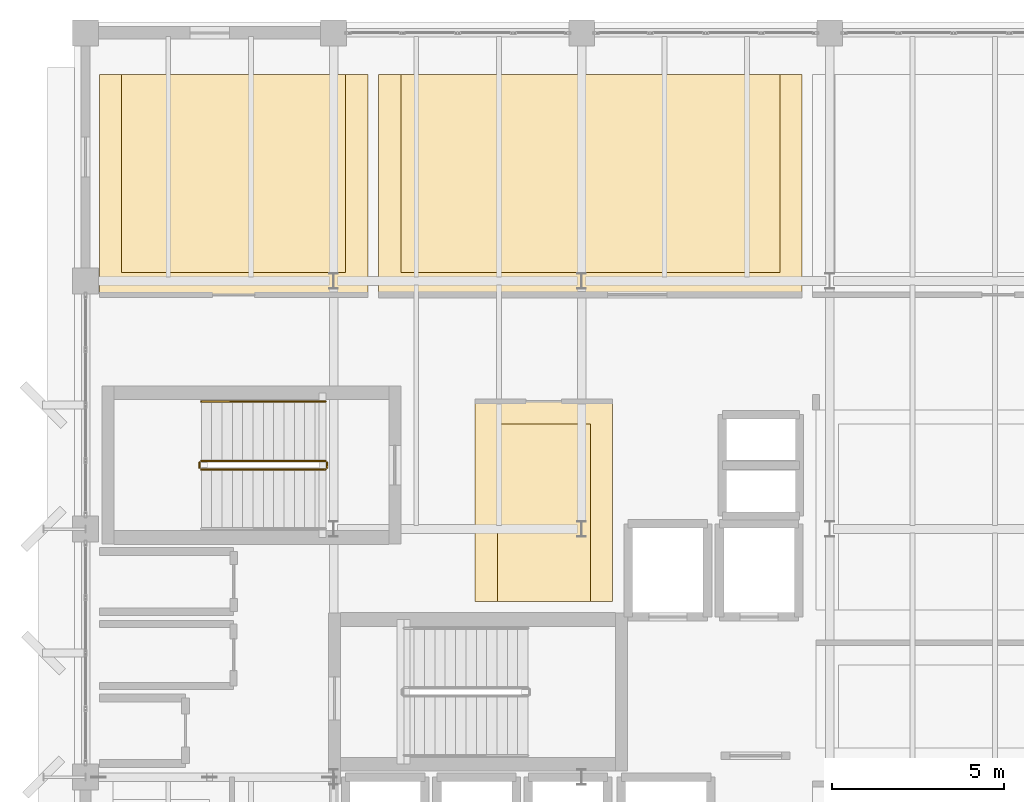
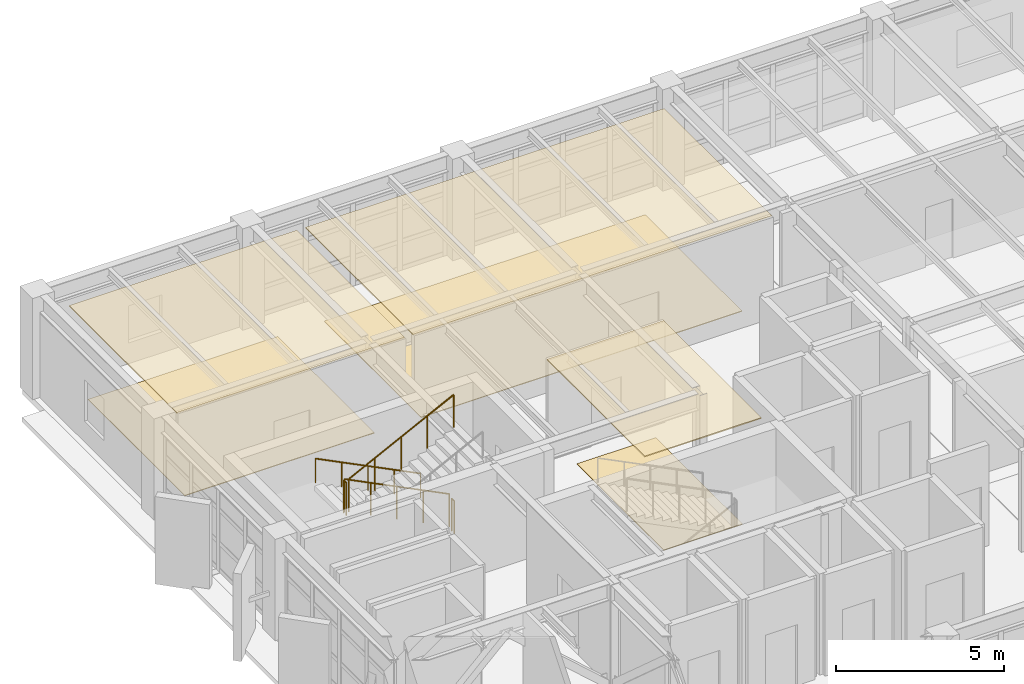
# One storey, part 23 of 24: 6 coverings, 5 railings.
"""IFC4 building model written with IfcOpenShell, lengths in metres."""

from ifc_helpers import new_model, si_unit, direction, frame, origin, origin_2d, place, context, subcontext, project, spatial, polyline, circle, outline, extrude, material, layer, layer_set, type_object, element, save


model = new_model("IFC4")

# Units and contexts
model_context = context("Model", 3, precision=1e-05, world=origin(), true_north=direction((0.0, 1.0)))
body_context = subcontext(model_context, "Body", "Model", "MODEL_VIEW")
ifc_project = project(units=[si_unit("LENGTHUNIT", "METRE"), si_unit("AREAUNIT", "SQUARE_METRE"), si_unit("VOLUMEUNIT", "CUBIC_METRE"), si_unit("PLANEANGLEUNIT", "RADIAN"), si_unit("MASSUNIT", "GRAM", prefix="KILO")], contexts=[model_context])

# Site, building, storey
site_placement = place(None, origin())
site = spatial("IfcSite", under=ifc_project, at=site_placement, CompositionType="ELEMENT")
building_placement = place(site_placement, origin())
building = spatial("IfcBuilding", under=site, at=building_placement, Name="Kandorven Conservatory and Botanical Research Centre", CompositionType="ELEMENT")
storey_placement = place(building_placement, frame((0.0, 0.0, 21.0)))
storey = spatial("IfcBuildingStorey", under=building, at=storey_placement, Name="L05", CompositionType="ELEMENT", Elevation=21.0)

# Coverings
ifc_material_1 = material(Name="Perforated mineral-fibre acoustic ceiling tile", Category="gypsum")
ifc_layer_1 = layer(ifc_material_1, 0.0400390625)
ifc_layer_set_1 = layer_set([ifc_layer_1], Name="Perforated mineral-fibre acoustic ceiling tile")
covering_type_1 = type_object("IfcCoveringType", Name="Cov_Ceiling_1", PredefinedType="CEILING", material=ifc_layer_set_1)
covering_1_placement = place(storey_placement, frame((0.0, 0.0, 3.610107421875)))
element("IfcCovering", 1, at=covering_1_placement, inside=storey, type_object=covering_type_1, Name="Suspended acoustic ceiling CLG-01 (Botanical Specimen Preparation Laboratory L05)", PredefinedType="CEILING", context=body_context, shape_type="SweptSolid", body=[
    extrude(outline(polyline([(17.300048828125, 18.300048828125), (21.300048828125, 18.300048828125), (21.300048828125, 24.10009765625), (17.300048828125, 24.10009765625), (17.300048828125, 18.300048828125)])), origin(), (0.0, 0.0, 1.0), 0.039794921875),
])
covering_2_placement = place(storey_placement, frame((0.0, 0.0, 3.610107421875)))
element("IfcCovering", 2, at=covering_2_placement, inside=storey, type_object=covering_type_1, Name="Suspended acoustic ceiling CLG-01 (Ethnobotany Field Specimen Studio L05)", PredefinedType="CEILING", context=body_context, shape_type="SweptSolid", body=[
    extrude(outline(polyline([(6.39990234375, 27.199951171875), (14.199951171875, 27.199951171875), (14.199951171875, 33.60009765625), (6.39990234375, 33.60009765625), (6.39990234375, 27.199951171875)])), origin(), (0.0, 0.0, 1.0), 0.039794921875),
])
covering_3_placement = place(storey_placement, frame((0.0, 0.0, 3.610107421875)))
element("IfcCovering", 3, at=covering_3_placement, inside=storey, type_object=covering_type_1, Name="Suspended acoustic ceiling CLG-01 (Genomics and Bioinformatics Laboratory L05)", PredefinedType="CEILING", context=body_context, shape_type="SweptSolid", body=[
    extrude(outline(polyline([(14.5, 27.199951171875), (26.800048828125, 27.199951171875), (26.800048828125, 33.60009765625), (14.5, 33.60009765625), (14.5, 27.199951171875)])), origin(), (0.0, 0.0, 1.0), 0.039794921875),
])
ifc_material_2 = material(Name="Honed Kota stone and epoxy laboratory flooring", Category="masonry")
ifc_layer_2 = layer(ifc_material_2, 0.02490234375)
ifc_layer_set_2 = layer_set([ifc_layer_2], Name="Honed Kota stone and epoxy laboratory flooring")
covering_type_2 = type_object("IfcCoveringType", Name="Cov_Flooring_1", PredefinedType="FLOORING", material=ifc_layer_set_2)
covering_4_placement = place(storey_placement, origin())
element("IfcCovering", 4, at=covering_4_placement, inside=storey, type_object=covering_type_2, Name="Floor finish FLR-01 (Botanical Specimen Preparation Laboratory L05)", PredefinedType="FLOORING", context=body_context, shape_type="SweptSolid", body=[
    extrude(outline(polyline([(17.949951171875, 18.300048828125), (20.64990234375, 18.300048828125), (20.64990234375, 23.449951171875), (17.949951171875, 23.449951171875), (17.949951171875, 18.300048828125)])), origin(), (0.0, 0.0, 1.0), 0.02490234375),
])
covering_5_placement = place(storey_placement, origin())
element("IfcCovering", 5, at=covering_5_placement, inside=storey, type_object=covering_type_2, Name="Floor finish FLR-01 (Ethnobotany Field Specimen Studio L05)", PredefinedType="FLOORING", context=body_context, shape_type="SweptSolid", body=[
    extrude(outline(polyline([(7.050048828125, 27.85009765625), (13.550048828125, 27.85009765625), (13.550048828125, 33.60009765625), (7.050048828125, 33.60009765625), (7.050048828125, 27.85009765625)])), origin(), (0.0, 0.0, 1.0), 0.02490234375),
])
covering_6_placement = place(storey_placement, origin())
element("IfcCovering", 6, at=covering_6_placement, inside=storey, type_object=covering_type_2, Name="Floor finish FLR-01 (Genomics and Bioinformatics Laboratory L05)", PredefinedType="FLOORING", context=body_context, shape_type="SweptSolid", body=[
    extrude(outline(polyline([(15.14990234375, 27.85009765625), (26.14990234375, 27.85009765625), (26.14990234375, 33.60009765625), (15.14990234375, 33.60009765625), (15.14990234375, 27.85009765625)])), origin(), (0.0, 0.0, 1.0), 0.02490234375),
])

# Railings
ifc_material_3 = material(Name="Steel S355 (IS 2062 E350)", Category="steel")
railing_type_1 = type_object("IfcRailingType", Name="StairGuard_1150", PredefinedType="BALUSTRADE", material=ifc_material_3)
railing_1_placement = place(storey_placement, frame((12.9599609375, 22.3798828125, 0.14990234375)))
element("IfcRailing", 7, at=railing_1_placement, inside=storey, type_object=railing_type_1, Name="L05 ST-T2 stair guard 1", PredefinedType="BALUSTRADE", context=body_context, shape_type="SweptSolid", body=[
    extrude(circle(Radius=0.02392578125, at=origin_2d()), frame((0.0, 0.0, 1.17578125), z_axis=(-0.894415058897, 0.0, 0.447237858884), x_axis=(0.0, -1.0, 0.0)), (0.0, 0.0, 1.0), 4.02490234375),
    extrude(circle(Radius=0.02099609375, at=origin_2d()), origin(), (0.0, 0.0, 1.0), 1.15185546875),
    extrude(circle(Radius=0.02099609375, at=origin_2d()), frame((-0.89990234375, 0.0, 0.449951171875)), (0.0, 0.0, 1.0), 1.15185546875),
    extrude(circle(Radius=0.02099609375, at=origin_2d()), frame((-1.7998046875, 0.0, 0.89990234375)), (0.0, 0.0, 1.0), 1.15185546875),
    extrude(circle(Radius=0.02099609375, at=origin_2d()), frame((-2.699951171875, 0.0, 1.35009765625)), (0.0, 0.0, 1.0), 1.15185546875),
    extrude(circle(Radius=0.02099609375, at=origin_2d()), frame((-3.599853515625, 0.0, 1.800048828125)), (0.0, 0.0, 1.0), 1.15185546875),
])
railing_2_placement = place(storey_placement, frame((9.31005859375, 22.330078125, 1.949951171875)))
element("IfcRailing", 8, at=railing_2_placement, inside=storey, type_object=railing_type_1, Name="L05 ST-T2 stair guard 2", PredefinedType="BALUSTRADE", context=body_context, shape_type="SweptSolid", body=[
    extrude(circle(Radius=0.02392578125, at=origin_2d()), frame((0.0, 0.0, 1.17578125), z_axis=(0.0, -1.0, 0.0), x_axis=(1.0, 0.0, 0.0)), (0.0, 0.0, 1.0), 0.150146484375),
    extrude(circle(Radius=0.02099609375, at=origin_2d()), origin(), (0.0, 0.0, 1.0), 1.15185546875),
    extrude(circle(Radius=0.02099609375, at=origin_2d()), frame((0.0, -0.150146484375, 0.0)), (0.0, 0.0, 1.0), 1.15185546875),
])
railing_3_placement = place(storey_placement, frame((9.360107421875, 22.1298828125, 2.10009765625)))
element("IfcRailing", 9, at=railing_3_placement, inside=storey, type_object=railing_type_1, Name="L05 ST-T2 stair guard 3", PredefinedType="BALUSTRADE", context=body_context, shape_type="SweptSolid", body=[
    extrude(circle(Radius=0.02392578125, at=origin_2d()), frame((0.0, 0.0, 1.17578125), z_axis=(0.894439322774, 0.0, 0.447189331129), x_axis=(0.0, 1.0, 0.0)), (0.0, 0.0, 1.0), 4.024658203125),
    extrude(circle(Radius=0.02099609375, at=origin_2d()), origin(), (0.0, 0.0, 1.0), 1.15185546875),
    extrude(circle(Radius=0.02099609375, at=origin_2d()), frame((0.89990234375, 0.0, 0.449951171875)), (0.0, 0.0, 1.0), 1.15185546875),
    extrude(circle(Radius=0.02099609375, at=origin_2d()), frame((1.7998046875, 0.0, 0.89990234375)), (0.0, 0.0, 1.0), 1.15185546875),
    extrude(circle(Radius=0.02099609375, at=origin_2d()), frame((2.699951171875, 0.0, 1.349853515625)), (0.0, 0.0, 1.0), 1.15185546875),
    extrude(circle(Radius=0.02099609375, at=origin_2d()), frame((3.599853515625, 0.0, 1.7998046875)), (0.0, 0.0, 1.0), 1.15185546875),
])
railing_4_placement = place(storey_placement, frame((13.010009765625, 22.330078125, 0.0)))
element("IfcRailing", 10, at=railing_4_placement, inside=storey, type_object=railing_type_1, Name="L05 ST-T2 stair guard 4", PredefinedType="BALUSTRADE", context=body_context, shape_type="SweptSolid", body=[
    extrude(circle(Radius=0.02392578125, at=origin_2d()), frame((0.0, 0.0, 1.17578125), z_axis=(0.0, -1.0, 0.0), x_axis=(1.0, 0.0, 0.0)), (0.0, 0.0, 1.0), 0.150146484375),
    extrude(circle(Radius=0.02099609375, at=origin_2d()), origin(), (0.0, 0.0, 1.0), 1.15185546875),
    extrude(circle(Radius=0.02099609375, at=origin_2d()), frame((0.0, -0.150146484375, 0.0)), (0.0, 0.0, 1.0), 1.15185546875),
])
ifc_material_4 = material(Name="Steel S355 (IS 2062 E350)", Category="steel")
railing_type_2 = type_object("IfcRailingType", Name="StairHandrail_900", PredefinedType="HANDRAIL", material=ifc_material_4)
railing_5_placement = place(storey_placement, frame((12.9599609375, 24.10009765625, 0.14990234375)))
element("IfcRailing", 11, at=railing_5_placement, inside=storey, type_object=railing_type_2, Name="L05 ST-T2 stair handrail 1", PredefinedType="HANDRAIL", context=body_context, shape_type="SweptSolid", body=[
    extrude(circle(Radius=0.02392578125, at=origin_2d()), frame((0.0, 0.0, 0.8759765625), z_axis=(-0.894415058897, 0.0, 0.447237858884), x_axis=(0.0, -1.0, 0.0)), (0.0, 0.0, 1.0), 4.02490234375),
    extrude(circle(Radius=0.02099609375, at=origin_2d()), origin(), (0.0, 0.0, 1.0), 0.851806640625),
    extrude(circle(Radius=0.02099609375, at=origin_2d()), frame((-0.89990234375, 0.0, 0.449951171875)), (0.0, 0.0, 1.0), 0.851806640625),
    extrude(circle(Radius=0.02099609375, at=origin_2d()), frame((-1.7998046875, 0.0, 0.89990234375)), (0.0, 0.0, 1.0), 0.851806640625),
    extrude(circle(Radius=0.02099609375, at=origin_2d()), frame((-2.699951171875, 0.0, 1.35009765625)), (0.0, 0.0, 1.0), 0.851806640625),
    extrude(circle(Radius=0.02099609375, at=origin_2d()), frame((-3.599853515625, 0.0, 1.800048828125)), (0.0, 0.0, 1.0), 0.851806640625),
])

save(model, "model.ifc")
